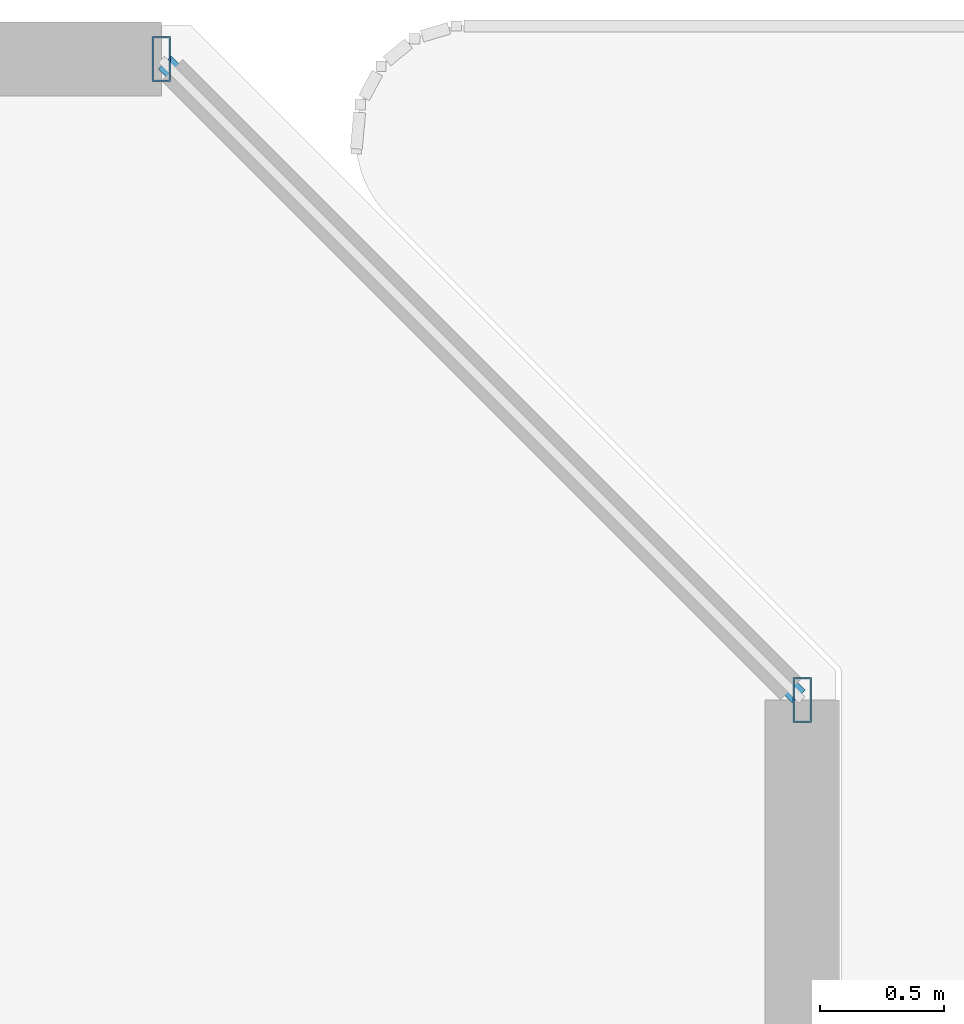
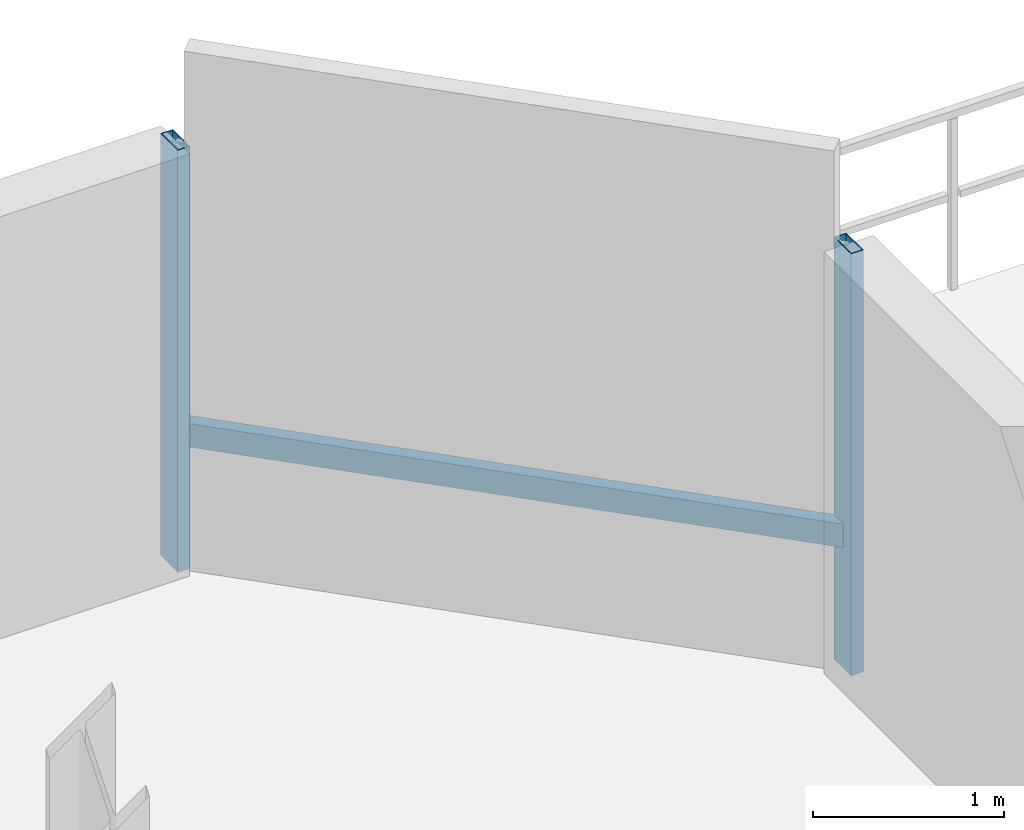
# One storey, part 10 of 32: 3 members, 1 element without a shape of its own.
"""IFC4 building model written with IfcOpenShell, lengths in metres."""

from ifc_helpers import new_model, si_unit, direction, frame, origin, origin_2d, place, context, subcontext, project, spatial, hollow_rectangle, extrude, material, material_profile, profile_set, type_object, element, aggregate, save


model = new_model("IFC4")

# Units and contexts
model_context = context("Model", 3, precision=1e-05, world=origin(), true_north=direction((0.0, 1.0)))
body_context = subcontext(model_context, "Body", "Model", "MODEL_VIEW")
ifc_project = project(units=[si_unit("LENGTHUNIT", "METRE"), si_unit("AREAUNIT", "SQUARE_METRE"), si_unit("VOLUMEUNIT", "CUBIC_METRE"), si_unit("PLANEANGLEUNIT", "RADIAN"), si_unit("MASSUNIT", "GRAM", prefix="KILO")], contexts=[model_context])

# Site, building, storey
site_placement = place(None, origin())
site = spatial("IfcSite", under=ifc_project, at=site_placement, CompositionType="ELEMENT")
building_placement = place(site_placement, origin())
building = spatial("IfcBuilding", under=site, at=building_placement, Name="Thornwick Lancets Civic Towers", CompositionType="ELEMENT")
storey_placement = place(building_placement, frame((0.0, 0.0, 200.10009765625)))
storey = spatial("IfcBuildingStorey", under=building, at=storey_placement, Name="L53", CompositionType="ELEMENT", Elevation=200.10009765625)

# Curtain wall, members
ifc_material_1 = material(Name="High-zone chamfered-corner unitised glass curtain wall", Category="glass")
curtain_wall_type = type_object("IfcCurtainWallType", Name="CW_SYS_05", PredefinedType="NOTDEFINED", material=ifc_material_1)
curtain_wall_placement = place(storey_placement, origin())
curtain_wall = element("IfcCurtainWall", 1, at=curtain_wall_placement, inside=storey, type_object=curtain_wall_type, Name="L53 Curtain Wall CW-L53-A-E3", PredefinedType="NOTDEFINED")
ifc_material_2 = material(Name="Thermally broken bronze aluminium S355", Category="steel")
ifc_material_profile_1 = material_profile(ifc_material_2, hollow_rectangle(XDim=0.074951171875, YDim=0.179931640625, WallThickness=0.006103515625, at=origin_2d()), Name="RHS 180x75x6")
ifc_profile_set_1 = profile_set([ifc_material_profile_1], Name="Thermally broken bronze aluminium S355")
member_type_1 = type_object("IfcMemberType", Name="CW_MUL_180", PredefinedType="MULLION", material=ifc_profile_set_1)
member_1_placement = place(storey_placement, frame((43.2646484375, 48.181396484375, 0.0), z_axis=(0.0, 0.0, 1.0), x_axis=(1.0, 0.0, 0.0)))
member_1 = element("IfcMember", 2, at=member_1_placement, type_object=member_type_1, Name="CW-L53-A-E3 Mullion 0", PredefinedType="MULLION", context=body_context, shape_type="SweptSolid", body=[
    extrude(hollow_rectangle(XDim=0.074951171875, YDim=0.179931640625, WallThickness=0.006103515625, at=origin_2d()), origin(), (0.0, 0.0, 1.0), 2.699951171875),
])
member_2_placement = place(storey_placement, frame((40.681396484375, 50.7646484375, 0.0), z_axis=(0.0, 0.0, 1.0), x_axis=(1.0, 0.0, 0.0)))
member_2 = element("IfcMember", 3, at=member_2_placement, type_object=member_type_1, Name="CW-L53-A-E3 Mullion 1", PredefinedType="MULLION", context=body_context, shape_type="SweptSolid", body=[
    extrude(hollow_rectangle(XDim=0.074951171875, YDim=0.179931640625, WallThickness=0.006103515625, at=origin_2d()), origin(), (0.0, 0.0, 1.0), 2.699951171875),
])
ifc_material_profile_2 = material_profile(ifc_material_2, hollow_rectangle(XDim=0.074951171875, YDim=0.14990234375, WallThickness=0.0048828125, at=origin_2d()), Name="RHS 150x75x5")
ifc_profile_set_2 = profile_set([ifc_material_profile_2], Name="Thermally broken bronze aluminium S355")
member_type_2 = type_object("IfcMemberType", Name="CW_TRN_150", PredefinedType="USERDEFINED", material=ifc_profile_set_2)
member_3_placement = place(storey_placement, frame((43.25048828125, 48.195556640625, 0.849853515625), z_axis=(-0.707106781187, 0.707106781187, 0.0), x_axis=(-0.707106781187, -0.707106781187, 0.0)))
member_3 = element("IfcMember", 4, at=member_3_placement, type_object=member_type_2, Name="CW-L53-A-E3 Transom 0", ObjectType="TRANSOM", PredefinedType="USERDEFINED", context=body_context, shape_type="SweptSolid", body=[
    extrude(hollow_rectangle(XDim=0.074951171875, YDim=0.14990234375, WallThickness=0.0048828125, at=origin_2d()), origin(), (0.0, 0.0, 1.0), 3.61328125),
])
aggregate(curtain_wall, [member_1, member_2, member_3])

save(model, "model.ifc")
